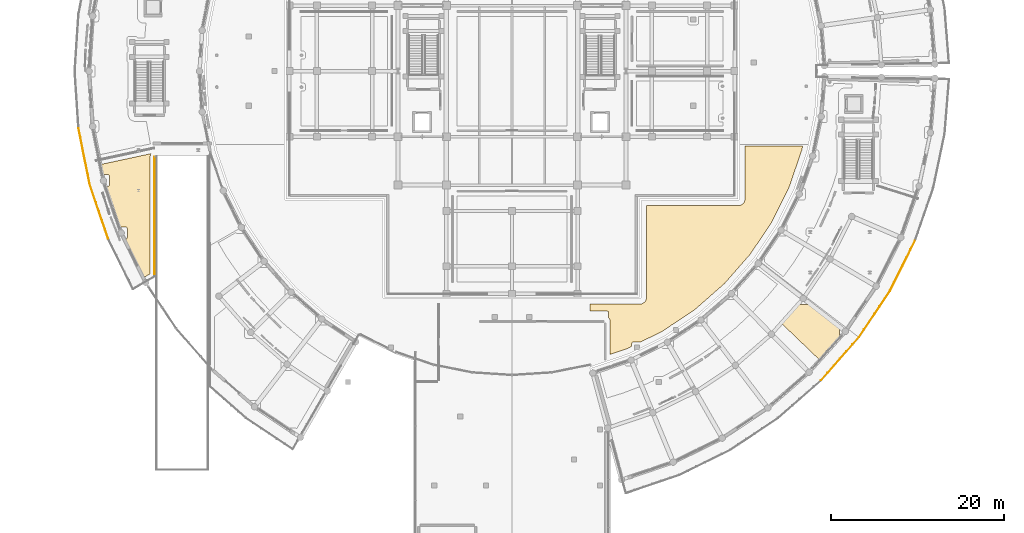
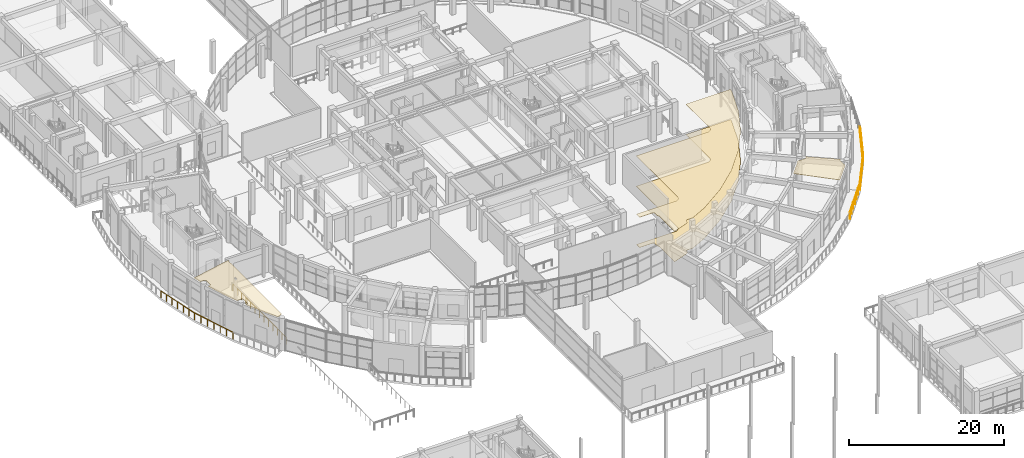
# One storey, part 86 of 99: 6 railings, 4 coverings.
"""IFC4 building model written with IfcOpenShell, lengths in metres."""

from ifc_helpers import new_model, si_unit, direction, frame, origin, origin_2d, place, context, subcontext, project, spatial, polyline, rectangle, outline, extrude, material, layer, layer_set, type_object, element, save


model = new_model("IFC4")

# Units and contexts
model_context = context("Model", 3, precision=1e-05, world=origin(), true_north=direction((0.0, 1.0)))
body_context = subcontext(model_context, "Body", "Model", "MODEL_VIEW")
ifc_project = project(units=[si_unit("LENGTHUNIT", "METRE"), si_unit("AREAUNIT", "SQUARE_METRE"), si_unit("VOLUMEUNIT", "CUBIC_METRE"), si_unit("PLANEANGLEUNIT", "RADIAN"), si_unit("MASSUNIT", "GRAM", prefix="KILO")], contexts=[model_context])

# Site, building, storey
site_placement = place(None, origin())
site = spatial("IfcSite", under=ifc_project, at=site_placement, CompositionType="ELEMENT")
building_placement = place(site_placement, origin())
building = spatial("IfcBuilding", under=site, at=building_placement, Name="Saryqyr Civic Hall", CompositionType="ELEMENT")
storey_placement = place(building_placement, origin())
storey = spatial("IfcBuildingStorey", under=building, at=storey_placement, Name="L00", CompositionType="ELEMENT", Elevation=0.0)

# Coverings
ifc_material_1 = material(Name="Mineral-fibre acoustic ceiling tile", Category="acoustic_tile")
ifc_layer_1 = layer(ifc_material_1, 0.06005859375, Name="Mineral-fibre acoustic ceiling tile")
ifc_layer_set_1 = layer_set([ifc_layer_1], Name="Mineral-fibre acoustic ceiling tile")
covering_type_1 = type_object("IfcCoveringType", Name="INT-COV-CEIL-60", PredefinedType="CEILING", material=ifc_layer_set_1)
covering_1_placement = place(storey_placement, frame((0.0, 0.0, 4.760009765625)))
element("IfcCovering", 1, at=covering_1_placement, inside=storey, type_object=covering_type_1, Name="Acoustic ceiling Social Welfare & Housing Advisory Desk", PredefinedType="CEILING", context=body_context, shape_type="SweptSolid", body=[
    extrude(outline(polyline([(12.20947265625, 64.544677734375), (12.233642578125, 64.54833984375), (12.257568359375, 64.55419921875), (12.280517578125, 64.5625), (12.302734375, 64.572998046875), (12.32373046875, 64.585693359375), (12.343505859375, 64.60009765625), (12.36181640625, 64.61669921875), (12.378173828125, 64.635009765625), (12.392822265625, 64.654541015625), (12.405517578125, 64.67578125), (12.416015625, 64.69775390625), (12.424072265625, 64.720947265625), (12.43017578125, 64.74462890625), (12.43359375, 64.76904296875), (12.434814453125, 64.79345703125), (12.434814453125, 65.70361328125), (12.43359375, 65.72802734375), (12.43017578125, 65.752197265625), (12.424072265625, 65.776123046875), (12.416015625, 65.79931640625), (12.405517578125, 65.8212890625), (12.392822265625, 65.84228515625), (12.378173828125, 65.862060546875), (12.36181640625, 65.88037109375), (12.343505859375, 65.896728515625), (12.32373046875, 65.911376953125), (12.302734375, 65.924072265625), (12.280517578125, 65.9345703125), (12.257568359375, 65.942626953125), (12.233642578125, 65.94873046875), (12.20947265625, 65.952392578125), (12.184814453125, 65.95361328125), (11.549072265625, 65.95361328125), (10.947021484375, 67.470703125), (9.948974609375, 70.572265625), (9.938720703125, 70.61279296875), (10.12451171875, 70.61279296875), (10.149169921875, 70.614013671875), (10.17333984375, 70.61767578125), (10.197265625, 70.623779296875), (10.22021484375, 70.6318359375), (10.242431640625, 70.642333984375), (10.263427734375, 70.655029296875), (10.283203125, 70.669677734375), (10.301513671875, 70.68603515625), (10.31787109375, 70.704345703125), (10.33251953125, 70.72412109375), (10.34521484375, 70.7451171875), (10.355712890625, 70.76708984375), (10.36376953125, 70.790283203125), (10.369873046875, 70.814208984375), (10.373291015625, 70.83837890625), (10.37451171875, 70.86279296875), (10.37451171875, 71.77294921875), (10.373291015625, 71.79736328125), (10.369873046875, 71.82177734375), (10.36376953125, 71.845458984375), (10.355712890625, 71.86865234375), (10.34521484375, 71.890625), (10.33251953125, 71.911865234375), (10.31787109375, 71.931396484375), (10.301513671875, 71.94970703125), (10.283203125, 71.96630859375), (10.263427734375, 71.980712890625), (10.242431640625, 71.993408203125), (10.22021484375, 72.00390625), (10.197265625, 72.01220703125), (10.17333984375, 72.01806640625), (10.149169921875, 72.021728515625), (10.12451171875, 72.02294921875), (9.586669921875, 72.02294921875), (9.297607421875, 73.179931640625), (15.14990234375, 74.43603515625), (15.1416015625, 74.392578125), (15.136474609375, 74.337646484375), (15.13427734375, 74.289794921875), (15.106201171875, 74.216552734375), (15.090576171875, 74.1689453125), (15.0791015625, 74.119873046875), (15.072265625, 74.0703125), (15.070068359375, 74.02001953125), (15.070068359375, 60.51904296875), (14.52587890625, 60.205078125), (14.276611328125, 60.205078125), (13.550048828125, 61.500732421875), (12.14892578125, 64.4423828125), (12.10888671875, 64.54345703125), (12.184814453125, 64.54345703125), (12.20947265625, 64.544677734375)])), origin(), (0.0, 0.0, 1.0), 0.06005859375),
])
covering_2_placement = place(storey_placement, frame((0.0, 0.0, 4.760009765625)))
element("IfcCovering", 2, at=covering_2_placement, inside=storey, type_object=covering_type_1, Name="Acoustic ceiling Municipal Cashier & Tax Advisory Counters", PredefinedType="CEILING", context=body_context, shape_type="SweptSolid", body=[
    extrude(outline(polyline([(90.14453125, 57.00146484375), (90.16552734375, 56.989013671875), (90.187744140625, 56.978515625), (90.210693359375, 56.97021484375), (90.234619140625, 56.964111328125), (90.2587890625, 56.960693359375), (90.283447265625, 56.95947265625), (91.193359375, 56.95947265625), (91.218017578125, 56.960693359375), (91.2421875, 56.964111328125), (91.26611328125, 56.97021484375), (91.2890625, 56.978515625), (91.311279296875, 56.989013671875), (91.332275390625, 57.00146484375), (91.35205078125, 57.01611328125), (91.3701171875, 57.03271484375), (91.38671875, 57.05078125), (91.4013671875, 57.070556640625), (91.413818359375, 57.091552734375), (91.42431640625, 57.11376953125), (91.4326171875, 57.13671875), (91.438720703125, 57.16064453125), (91.442138671875, 57.184814453125), (91.443359375, 57.20947265625), (91.443359375, 57.318603515625), (95.072265625, 54.533935546875), (95.052978515625, 54.52490234375), (95.03173828125, 54.51220703125), (95.01220703125, 54.497802734375), (94.993896484375, 54.481201171875), (94.977294921875, 54.462890625), (94.962890625, 54.443359375), (94.9501953125, 54.422119140625), (94.939697265625, 54.400146484375), (94.931396484375, 54.376953125), (94.925537109375, 54.353271484375), (94.921875, 54.328857421875), (94.920654296875, 54.304443359375), (94.920654296875, 53.394287109375), (94.921875, 53.369873046875), (94.925537109375, 53.345703125), (94.931396484375, 53.32177734375), (94.939697265625, 53.298583984375), (94.9501953125, 53.276611328125), (94.962890625, 53.255615234375), (94.977294921875, 53.23583984375), (94.993896484375, 53.217529296875), (95.001220703125, 53.211181640625), (94.445068359375, 52.504150390625), (92.66259765625, 50.521240234375), (88.205078125, 54.801025390625), (89.703857421875, 56.468505859375), (89.727294921875, 56.49609375), (90.132080078125, 57.0107421875), (90.14453125, 57.00146484375)])), origin(), (0.0, 0.0, 1.0), 0.06005859375),
])
covering_3_placement = place(storey_placement, frame((0.0, 0.0, 4.760009765625)))
element("IfcCovering", 3, at=covering_3_placement, inside=storey, type_object=covering_type_1, Name="Acoustic ceiling East Civic Forum and Model Hall", PredefinedType="CEILING", context=body_context, shape_type="SweptSolid", body=[
    extrude(outline(polyline([(90.566650390625, 74.826416015625), (89.107177734375, 70.573974609375), (87.11181640625, 66.5458984375), (84.615478515625, 62.810302734375), (81.61328125, 59.38671875), (78.18994140625, 56.384765625), (75.5478515625, 54.619384765625), (75.54736328125, 54.619140625), (75.5244140625, 54.611083984375), (75.502197265625, 54.6005859375), (75.481201171875, 54.587890625), (75.46142578125, 54.5732421875), (75.443115234375, 54.556884765625), (75.4267578125, 54.53857421875), (75.426513671875, 54.538330078125), (74.404052734375, 53.855224609375), (71.914306640625, 52.627197265625), (71.904541015625, 52.62890625), (71.8798828125, 52.6298828125), (71.1201171875, 52.6298828125), (71.095458984375, 52.62890625), (71.0712890625, 52.625244140625), (71.04736328125, 52.619140625), (71.0244140625, 52.611083984375), (71.002197265625, 52.6005859375), (70.981201171875, 52.587890625), (70.96142578125, 52.5732421875), (70.943115234375, 52.556884765625), (70.9267578125, 52.53857421875), (70.912109375, 52.518798828125), (70.8994140625, 52.497802734375), (70.888916015625, 52.4755859375), (70.880859375, 52.45263671875), (70.874755859375, 52.4287109375), (70.87109375, 52.404541015625), (70.8701171875, 52.3798828125), (70.8701171875, 52.1123046875), (70.320556640625, 51.84130859375), (68.369873046875, 51.17919921875), (68.369140625, 55.005859375), (68.366455078125, 55.0595703125), (68.358642578125, 55.11279296875), (68.345703125, 55.164794921875), (68.32763671875, 55.215576171875), (68.3046875, 55.26416015625), (68.277099609375, 55.310302734375), (68.2451171875, 55.353515625), (68.209228515625, 55.3935546875), (68.199951171875, 55.402099609375), (68.199951171875, 56.0), (68.198974609375, 56.01953125), (68.1962890625, 56.0390625), (68.19140625, 56.05810546875), (68.184814453125, 56.076416015625), (68.176513671875, 56.09423828125), (68.166259765625, 56.111083984375), (68.154541015625, 56.126953125), (68.141357421875, 56.141357421875), (68.126953125, 56.154541015625), (68.111083984375, 56.166259765625), (68.09423828125, 56.176513671875), (68.076416015625, 56.184814453125), (68.05810546875, 56.19140625), (68.0390625, 56.1962890625), (68.01953125, 56.198974609375), (68.0, 56.199951171875), (66.050048828125, 56.199951171875), (66.050048828125, 57.017333984375), (71.86181640625, 57.022216796875), (71.918212890625, 57.025146484375), (71.97412109375, 57.033935546875), (72.02880859375, 57.04833984375), (72.081787109375, 57.068359375), (72.13232421875, 57.093505859375), (72.179931640625, 57.1240234375), (72.322265625, 57.22509765625), (72.36376953125, 57.2578125), (72.402099609375, 57.294189453125), (72.4365234375, 57.334228515625), (72.467041015625, 57.377197265625), (72.493408203125, 57.423095703125), (72.514892578125, 57.47119140625), (72.531982421875, 57.521240234375), (72.568603515625, 57.647705078125), (72.580322265625, 57.69775390625), (72.587646484375, 57.748779296875), (72.590087890625, 57.800048828125), (72.590087890625, 68.4111328125), (83.276611328125, 68.428955078125), (83.332275390625, 68.431884765625), (83.38720703125, 68.4404296875), (83.44140625, 68.45458984375), (83.493408203125, 68.473876953125), (83.543701171875, 68.49853515625), (83.5908203125, 68.5283203125), (83.71337890625, 68.614013671875), (83.75439453125, 68.645751953125), (83.79248046875, 68.68115234375), (83.826904296875, 68.719970703125), (83.857421875, 68.761962890625), (83.8837890625, 68.806640625), (83.906005859375, 68.853515625), (83.923583984375, 68.90234375), (83.965576171875, 69.03759765625), (83.97900390625, 69.0908203125), (83.9873046875, 69.1455078125), (83.989990234375, 69.200439453125), (83.9853515625, 75.300048828125), (90.663330078125, 75.300048828125), (90.566650390625, 74.826416015625)])), origin(), (0.0, 0.0, 1.0), 0.06005859375),
])
ifc_material_2 = material(Name="Polished terrazzo tile", Category="stone")
ifc_layer_2 = layer(ifc_material_2, 0.030029296875, Name="Polished terrazzo tile")
ifc_layer_set_2 = layer_set([ifc_layer_2], Name="Polished terrazzo tile")
covering_type_2 = type_object("IfcCoveringType", Name="INT-COV-FLR-30", PredefinedType="FLOORING", material=ifc_layer_set_2)
covering_4_placement = place(storey_placement, origin())
element("IfcCovering", 4, at=covering_4_placement, inside=storey, type_object=covering_type_2, Name="Polished terrazzo flooring East Civic Forum and Model Hall", PredefinedType="FLOORING", context=body_context, shape_type="SweptSolid", body=[
    extrude(outline(polyline([(90.566650390625, 74.826416015625), (89.107177734375, 70.573974609375), (87.11181640625, 66.5458984375), (84.615478515625, 62.810302734375), (81.61328125, 59.38671875), (78.18994140625, 56.384765625), (75.5478515625, 54.619384765625), (75.54736328125, 54.619140625), (75.5244140625, 54.611083984375), (75.502197265625, 54.6005859375), (75.481201171875, 54.587890625), (75.46142578125, 54.5732421875), (75.443115234375, 54.556884765625), (75.4267578125, 54.53857421875), (75.426513671875, 54.538330078125), (74.404052734375, 53.855224609375), (71.914306640625, 52.627197265625), (71.904541015625, 52.62890625), (71.8798828125, 52.6298828125), (71.1201171875, 52.6298828125), (71.095458984375, 52.62890625), (71.0712890625, 52.625244140625), (71.04736328125, 52.619140625), (71.0244140625, 52.611083984375), (71.002197265625, 52.6005859375), (70.981201171875, 52.587890625), (70.96142578125, 52.5732421875), (70.943115234375, 52.556884765625), (70.9267578125, 52.53857421875), (70.912109375, 52.518798828125), (70.8994140625, 52.497802734375), (70.888916015625, 52.4755859375), (70.880859375, 52.45263671875), (70.874755859375, 52.4287109375), (70.87109375, 52.404541015625), (70.8701171875, 52.3798828125), (70.8701171875, 52.1123046875), (70.320556640625, 51.84130859375), (68.369873046875, 51.17919921875), (68.369140625, 55.005859375), (68.366455078125, 55.0595703125), (68.358642578125, 55.11279296875), (68.345703125, 55.164794921875), (68.32763671875, 55.215576171875), (68.3046875, 55.26416015625), (68.277099609375, 55.310302734375), (68.2451171875, 55.353515625), (68.209228515625, 55.3935546875), (68.199951171875, 55.402099609375), (68.199951171875, 56.0), (68.198974609375, 56.01953125), (68.1962890625, 56.0390625), (68.19140625, 56.05810546875), (68.184814453125, 56.076416015625), (68.176513671875, 56.09423828125), (68.166259765625, 56.111083984375), (68.154541015625, 56.126953125), (68.141357421875, 56.141357421875), (68.126953125, 56.154541015625), (68.111083984375, 56.166259765625), (68.09423828125, 56.176513671875), (68.076416015625, 56.184814453125), (68.05810546875, 56.19140625), (68.0390625, 56.1962890625), (68.01953125, 56.198974609375), (68.0, 56.199951171875), (66.050048828125, 56.199951171875), (66.050048828125, 57.017333984375), (71.86181640625, 57.022216796875), (71.918212890625, 57.025146484375), (71.97412109375, 57.033935546875), (72.02880859375, 57.04833984375), (72.081787109375, 57.068359375), (72.13232421875, 57.093505859375), (72.179931640625, 57.1240234375), (72.322265625, 57.22509765625), (72.36376953125, 57.2578125), (72.402099609375, 57.294189453125), (72.4365234375, 57.334228515625), (72.467041015625, 57.377197265625), (72.493408203125, 57.423095703125), (72.514892578125, 57.47119140625), (72.531982421875, 57.521240234375), (72.568603515625, 57.647705078125), (72.580322265625, 57.69775390625), (72.587646484375, 57.748779296875), (72.590087890625, 57.800048828125), (72.590087890625, 68.4111328125), (83.276611328125, 68.428955078125), (83.332275390625, 68.431884765625), (83.38720703125, 68.4404296875), (83.44140625, 68.45458984375), (83.493408203125, 68.473876953125), (83.543701171875, 68.49853515625), (83.5908203125, 68.5283203125), (83.71337890625, 68.614013671875), (83.75439453125, 68.645751953125), (83.79248046875, 68.68115234375), (83.826904296875, 68.719970703125), (83.857421875, 68.761962890625), (83.8837890625, 68.806640625), (83.906005859375, 68.853515625), (83.923583984375, 68.90234375), (83.965576171875, 69.03759765625), (83.97900390625, 69.0908203125), (83.9873046875, 69.1455078125), (83.989990234375, 69.200439453125), (83.9853515625, 75.300048828125), (90.663330078125, 75.300048828125), (90.566650390625, 74.826416015625)])), origin(), (0.0, 0.0, 1.0), 0.030029296875),
])

# Railings
ifc_material_3 = material(Name="Warm brushed brass and laminated glass", Category="glass")
ifc_layer_3 = layer(ifc_material_3, 0.06005859375, Name="Warm brushed brass and laminated glass")
ifc_layer_set_3 = layer_set([ifc_layer_3], Name="Warm brushed brass and laminated glass")
railing_type = type_object("IfcRailingType", Name="INT-RLG-BAL-1100", PredefinedType="BALUSTRADE", material=ifc_layer_set_3)
railing_1_placement = place(storey_placement, frame((103.664794921875, 64.307373046875, 0.0)))
element("IfcRailing", 5, at=railing_1_placement, inside=storey, type_object=railing_type, Name="Interior deck safety balustrade L00-033", PredefinedType="BALUSTRADE", context=body_context, shape_type="SweptSolid", body=[
    extrude(rectangle(XDim=0.048095703125, YDim=0.048095703125, at=origin_2d()), frame((0.0, 0.0, 1.09619140625), z_axis=(-0.44674474886, -0.894661460758, 0.0), x_axis=(0.894661460758, -0.44674474886, 0.0)), (0.0, 0.0, 1.0), 6.457763671875),
    extrude(rectangle(XDim=0.0419921875, YDim=0.0419921875, at=origin_2d()), origin(), (0.0, 0.0, 1.0), 1.072021484375),
    extrude(rectangle(XDim=0.0419921875, YDim=0.0419921875, at=origin_2d()), frame((-0.48095703125, -0.962890625, 0.0)), (0.0, 0.0, 1.0), 1.072021484375),
    extrude(rectangle(XDim=0.0419921875, YDim=0.0419921875, at=origin_2d()), frame((-0.961669921875, -1.92578125, 0.0)), (0.0, 0.0, 1.0), 1.072021484375),
    extrude(rectangle(XDim=0.0419921875, YDim=0.0419921875, at=origin_2d()), frame((-1.4423828125, -2.888671875, 0.0)), (0.0, 0.0, 1.0), 1.072021484375),
    extrude(rectangle(XDim=0.0419921875, YDim=0.0419921875, at=origin_2d()), frame((-1.92333984375, -3.851806640625, 0.0)), (0.0, 0.0, 1.0), 1.072021484375),
    extrude(rectangle(XDim=0.0419921875, YDim=0.0419921875, at=origin_2d()), frame((-2.404296875, -4.814697265625, 0.0)), (0.0, 0.0, 1.0), 1.072021484375),
    extrude(rectangle(XDim=0.0419921875, YDim=0.0419921875, at=origin_2d()), frame((-2.885009765625, -5.777587890625, 0.0)), (0.0, 0.0, 1.0), 1.072021484375),
])
railing_2_placement = place(storey_placement, frame((100.77978515625, 58.52978515625, 0.0)))
element("IfcRailing", 6, at=railing_2_placement, inside=storey, type_object=railing_type, Name="Interior deck safety balustrade L00-034", PredefinedType="BALUSTRADE", context=body_context, shape_type="SweptSolid", body=[
    extrude(rectangle(XDim=0.048095703125, YDim=0.048095703125, at=origin_2d()), frame((0.0, 0.0, 1.09619140625), z_axis=(-0.556966529573, -0.830534939021, 0.0), x_axis=(0.830534939021, -0.556966529573, 0.0)), (0.0, 0.0, 1.0), 6.45751953125),
    extrude(rectangle(XDim=0.0419921875, YDim=0.0419921875, at=origin_2d()), origin(), (0.0, 0.0, 1.0), 1.072021484375),
    extrude(rectangle(XDim=0.0419921875, YDim=0.0419921875, at=origin_2d()), frame((-0.599365234375, -0.893798828125, 0.0)), (0.0, 0.0, 1.0), 1.072021484375),
    extrude(rectangle(XDim=0.0419921875, YDim=0.0419921875, at=origin_2d()), frame((-1.198974609375, -1.787841796875, 0.0)), (0.0, 0.0, 1.0), 1.072021484375),
    extrude(rectangle(XDim=0.0419921875, YDim=0.0419921875, at=origin_2d()), frame((-1.79833984375, -2.681640625, 0.0)), (0.0, 0.0, 1.0), 1.072021484375),
    extrude(rectangle(XDim=0.0419921875, YDim=0.0419921875, at=origin_2d()), frame((-2.397705078125, -3.575439453125, 0.0)), (0.0, 0.0, 1.0), 1.072021484375),
    extrude(rectangle(XDim=0.0419921875, YDim=0.0419921875, at=origin_2d()), frame((-2.997314453125, -4.469482421875, 0.0)), (0.0, 0.0, 1.0), 1.072021484375),
    extrude(rectangle(XDim=0.0419921875, YDim=0.0419921875, at=origin_2d()), frame((-3.5966796875, -5.36328125, 0.0)), (0.0, 0.0, 1.0), 1.072021484375),
])
railing_3_placement = place(storey_placement, frame((97.18310546875, 53.16650390625, 0.0)))
element("IfcRailing", 7, at=railing_3_placement, inside=storey, type_object=railing_type, Name="Interior deck safety balustrade L00-035", PredefinedType="BALUSTRADE", context=body_context, shape_type="SweptSolid", body=[
    extrude(rectangle(XDim=0.048095703125, YDim=0.048095703125, at=origin_2d()), frame((0.0, 0.0, 1.09619140625), z_axis=(-0.659346840449, -0.751838908271, 0.0), x_axis=(0.751838908271, -0.659346840449, 0.0)), (0.0, 0.0, 1.0), 6.625244140625),
    extrude(rectangle(XDim=0.0419921875, YDim=0.0419921875, at=origin_2d()), origin(), (0.0, 0.0, 1.0), 1.072021484375),
    extrude(rectangle(XDim=0.0419921875, YDim=0.0419921875, at=origin_2d()), frame((-0.72802734375, -0.830078125, 0.0)), (0.0, 0.0, 1.0), 1.072021484375),
    extrude(rectangle(XDim=0.0419921875, YDim=0.0419921875, at=origin_2d()), frame((-1.4560546875, -1.660400390625, 0.0)), (0.0, 0.0, 1.0), 1.072021484375),
    extrude(rectangle(XDim=0.0419921875, YDim=0.0419921875, at=origin_2d()), frame((-2.18408203125, -2.49072265625, 0.0)), (0.0, 0.0, 1.0), 1.072021484375),
    extrude(rectangle(XDim=0.0419921875, YDim=0.0419921875, at=origin_2d()), frame((-2.912353515625, -3.32080078125, 0.0)), (0.0, 0.0, 1.0), 1.072021484375),
    extrude(rectangle(XDim=0.0419921875, YDim=0.0419921875, at=origin_2d()), frame((-3.640380859375, -4.15087890625, 0.0)), (0.0, 0.0, 1.0), 1.072021484375),
    extrude(rectangle(XDim=0.0419921875, YDim=0.0419921875, at=origin_2d()), frame((-4.368408203125, -4.981201171875, 0.0)), (0.0, 0.0, 1.0), 1.072021484375),
])
railing_4_placement = place(storey_placement, frame((15.60009765625, 74.039794921875, 0.0)))
element("IfcRailing", 8, at=railing_4_placement, inside=storey, type_object=railing_type, Name="Interior deck safety balustrade L00-053", PredefinedType="BALUSTRADE", context=body_context, shape_type="SweptSolid", body=[
    extrude(rectangle(XDim=0.048095703125, YDim=0.048095703125, at=origin_2d()), frame((0.0, 0.0, 1.09619140625), z_axis=(0.0, -1.0, 0.0), x_axis=(1.0, 0.0, 0.0)), (0.0, 0.0, 1.0), 13.82666015625),
    extrude(rectangle(XDim=0.0419921875, YDim=0.0419921875, at=origin_2d()), origin(), (0.0, 0.0, 1.0), 1.072021484375),
    extrude(rectangle(XDim=0.0419921875, YDim=0.0419921875, at=origin_2d()), frame((0.0, -1.15234375, 0.0)), (0.0, 0.0, 1.0), 1.072021484375),
    extrude(rectangle(XDim=0.0419921875, YDim=0.0419921875, at=origin_2d()), frame((0.0, -2.304443359375, 0.0)), (0.0, 0.0, 1.0), 1.072021484375),
    extrude(rectangle(XDim=0.0419921875, YDim=0.0419921875, at=origin_2d()), frame((0.0, -3.45654296875, 0.0)), (0.0, 0.0, 1.0), 1.072021484375),
    extrude(rectangle(XDim=0.0419921875, YDim=0.0419921875, at=origin_2d()), frame((0.0, -4.60888671875, 0.0)), (0.0, 0.0, 1.0), 1.072021484375),
    extrude(rectangle(XDim=0.0419921875, YDim=0.0419921875, at=origin_2d()), frame((0.0, -5.76123046875, 0.0)), (0.0, 0.0, 1.0), 1.072021484375),
    extrude(rectangle(XDim=0.0419921875, YDim=0.0419921875, at=origin_2d()), frame((0.0, -6.913330078125, 0.0)), (0.0, 0.0, 1.0), 1.072021484375),
    extrude(rectangle(XDim=0.0419921875, YDim=0.0419921875, at=origin_2d()), frame((0.0, -8.0654296875, 0.0)), (0.0, 0.0, 1.0), 1.072021484375),
    extrude(rectangle(XDim=0.0419921875, YDim=0.0419921875, at=origin_2d()), frame((0.0, -9.2177734375, 0.0)), (0.0, 0.0, 1.0), 1.072021484375),
    extrude(rectangle(XDim=0.0419921875, YDim=0.0419921875, at=origin_2d()), frame((0.0, -10.3701171875, 0.0)), (0.0, 0.0, 1.0), 1.072021484375),
    extrude(rectangle(XDim=0.0419921875, YDim=0.0419921875, at=origin_2d()), frame((0.0, -11.522216796875, 0.0)), (0.0, 0.0, 1.0), 1.072021484375),
    extrude(rectangle(XDim=0.0419921875, YDim=0.0419921875, at=origin_2d()), frame((0.0, -12.67431640625, 0.0)), (0.0, 0.0, 1.0), 1.072021484375),
    extrude(rectangle(XDim=0.0419921875, YDim=0.0419921875, at=origin_2d()), frame((0.0, -13.82666015625, 0.0)), (0.0, 0.0, 1.0), 1.072021484375),
])
railing_5_placement = place(storey_placement, frame((10.205810546875, 64.6171875, 0.0)))
element("IfcRailing", 9, at=railing_5_placement, inside=storey, type_object=railing_type, Name="Interior deck safety balustrade L00-056", PredefinedType="BALUSTRADE", context=body_context, shape_type="SweptSolid", body=[
    extrude(rectangle(XDim=0.048095703125, YDim=0.048095703125, at=origin_2d()), frame((0.0, 0.0, 1.09619140625), z_axis=(-0.321440916193, 0.946929636983, 0.0), x_axis=(-0.946929636983, -0.321440916193, 0.0)), (0.0, 0.0, 1.0), 6.625244140625),
    extrude(rectangle(XDim=0.0419921875, YDim=0.0419921875, at=origin_2d()), origin(), (0.0, 0.0, 1.0), 1.072021484375),
    extrude(rectangle(XDim=0.0419921875, YDim=0.0419921875, at=origin_2d()), frame((-0.35498046875, 1.045654296875, 0.0)), (0.0, 0.0, 1.0), 1.072021484375),
    extrude(rectangle(XDim=0.0419921875, YDim=0.0419921875, at=origin_2d()), frame((-0.7099609375, 2.09130859375, 0.0)), (0.0, 0.0, 1.0), 1.072021484375),
    extrude(rectangle(XDim=0.0419921875, YDim=0.0419921875, at=origin_2d()), frame((-1.06494140625, 3.13671875, 0.0)), (0.0, 0.0, 1.0), 1.072021484375),
    extrude(rectangle(XDim=0.0419921875, YDim=0.0419921875, at=origin_2d()), frame((-1.419677734375, 4.182373046875, 0.0)), (0.0, 0.0, 1.0), 1.072021484375),
    extrude(rectangle(XDim=0.0419921875, YDim=0.0419921875, at=origin_2d()), frame((-1.774658203125, 5.22802734375, 0.0)), (0.0, 0.0, 1.0), 1.072021484375),
    extrude(rectangle(XDim=0.0419921875, YDim=0.0419921875, at=origin_2d()), frame((-2.129638671875, 6.273681640625, 0.0)), (0.0, 0.0, 1.0), 1.072021484375),
])
railing_6_placement = place(storey_placement, frame((8.076171875, 70.890869140625, 0.0)))
element("IfcRailing", 10, at=railing_6_placement, inside=storey, type_object=railing_type, Name="Interior deck safety balustrade L00-057", PredefinedType="BALUSTRADE", context=body_context, shape_type="SweptSolid", body=[
    extrude(rectangle(XDim=0.048095703125, YDim=0.048095703125, at=origin_2d()), frame((0.0, 0.0, 1.09619140625), z_axis=(-0.195081404593, 0.980787054147, 0.0), x_axis=(-0.980787054147, -0.195081404593, 0.0)), (0.0, 0.0, 1.0), 6.625244140625),
    extrude(rectangle(XDim=0.0419921875, YDim=0.0419921875, at=origin_2d()), origin(), (0.0, 0.0, 1.0), 1.072021484375),
    extrude(rectangle(XDim=0.0419921875, YDim=0.0419921875, at=origin_2d()), frame((-0.21533203125, 1.0830078125, 0.0)), (0.0, 0.0, 1.0), 1.072021484375),
    extrude(rectangle(XDim=0.0419921875, YDim=0.0419921875, at=origin_2d()), frame((-0.430908203125, 2.166015625, 0.0)), (0.0, 0.0, 1.0), 1.072021484375),
    extrude(rectangle(XDim=0.0419921875, YDim=0.0419921875, at=origin_2d()), frame((-0.646240234375, 3.2490234375, 0.0)), (0.0, 0.0, 1.0), 1.072021484375),
    extrude(rectangle(XDim=0.0419921875, YDim=0.0419921875, at=origin_2d()), frame((-0.861572265625, 4.33203125, 0.0)), (0.0, 0.0, 1.0), 1.072021484375),
    extrude(rectangle(XDim=0.0419921875, YDim=0.0419921875, at=origin_2d()), frame((-1.0771484375, 5.4150390625, 0.0)), (0.0, 0.0, 1.0), 1.072021484375),
    extrude(rectangle(XDim=0.0419921875, YDim=0.0419921875, at=origin_2d()), frame((-1.29248046875, 6.498046875, 0.0)), (0.0, 0.0, 1.0), 1.072021484375),
])

save(model, "model.ifc")
